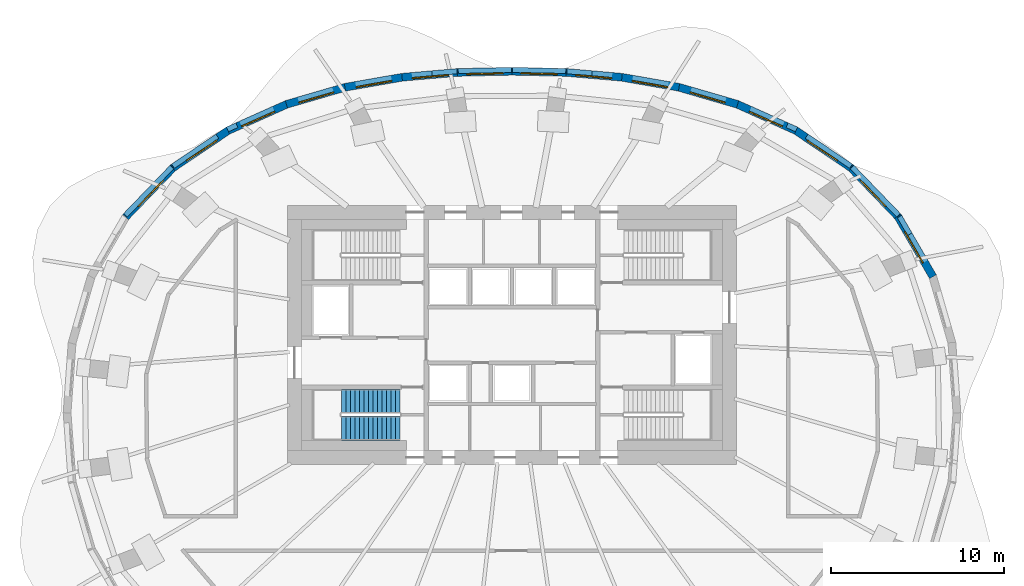
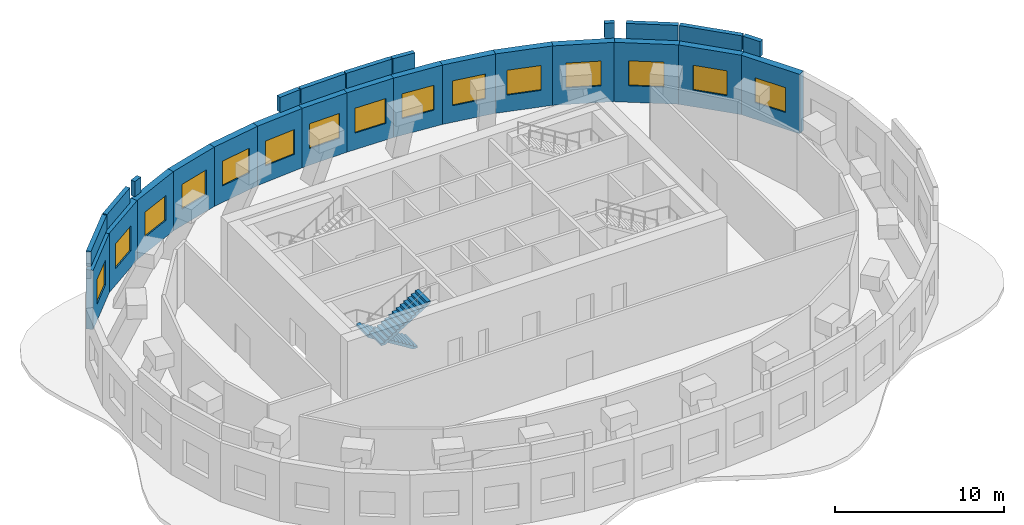
# One storey, part 7 of 9: 26 walls, 15 windows, 2 stair flights, 15 openings, 1 element without a shape of its own.
"""IFC4 building model written with IfcOpenShell, lengths in metres."""

from ifc_helpers import new_model, si_unit, direction, frame, frame_2d, origin, place, context, subcontext, project, spatial, polyline, rectangle, outline, extrude, material, layer, layer_set, type_object, element, fill, aggregate, save


model = new_model("IFC4")

# Units and contexts
model_context = context("Model", 3, precision=1e-05, world=origin(), true_north=direction((0.0, 1.0)))
body_context = subcontext(model_context, "Body", "Model", "MODEL_VIEW")
ifc_project = project(units=[si_unit("LENGTHUNIT", "METRE"), si_unit("AREAUNIT", "SQUARE_METRE"), si_unit("VOLUMEUNIT", "CUBIC_METRE"), si_unit("PLANEANGLEUNIT", "RADIAN"), si_unit("MASSUNIT", "GRAM", prefix="KILO")], contexts=[model_context])

# Site, building, storey
site_placement = place(None, origin())
site = spatial("IfcSite", under=ifc_project, at=site_placement, CompositionType="ELEMENT")
building_placement = place(site_placement, origin())
building = spatial("IfcBuilding", under=site, at=building_placement, Name="Rubra Terraces Tower", CompositionType="ELEMENT")
storey_placement = place(building_placement, frame((0.0, 0.0, 264.300048828125)))
storey = spatial("IfcBuildingStorey", under=building, at=storey_placement, Name="L65", CompositionType="ELEMENT", Elevation=264.300048828125)

# Wall, opening, window
ifc_material_1 = material(Name="Brick masonry red-brown", Category="masonry")
ifc_layer_1 = layer(ifc_material_1, 0.449951171875)
ifc_layer_set_1 = layer_set([ifc_layer_1], Name="Brick masonry red-brown")
wall_type_1 = type_object("IfcWallType", Name="Brick facade wall 450", PredefinedType="SOLIDWALL", material=ifc_layer_set_1)
wall_1_placement = place(storey_placement, frame((24.386474609375, 7.8740234375, 0.0), z_axis=(0.0, 0.0, 1.0), x_axis=(-0.502055516261, 0.864835393929, 0.0)))
wall_1 = element("IfcWall", 1, at=wall_1_placement, inside=storey, type_object=wall_type_1, Name="Facade wall L65 bay 3", PredefinedType="SOLIDWALL", context=body_context, shape_type="SweptSolid", body=[
    extrude(rectangle(XDim=4.04931640625, YDim=0.449951171875, at=frame_2d((2.024658203125, 0.0))), origin(), (0.0, 0.0, 1.0), 4.300048828125),
])
opening_1_placement = place(wall_1_placement, frame((0.974609375, 0.0, 1.199951171875)))
opening_1 = element("IfcOpeningElement", 2, at=opening_1_placement, cuts=wall_1, Name="Opening W4", PredefinedType="OPENING", context=body_context, shape_type="SweptSolid", body=[
    extrude(rectangle(XDim=2.10009765625, YDim=1.800048828125, at=frame_2d((1.050048828125, 0.89990234375))), frame((0.0, 0.23486328125, 0.0), z_axis=(0.0, -1.0, 0.0), x_axis=(1.0, 0.0, 0.0)), (0.0, 0.0, 1.0), 0.469970703125),
])
ifc_material_2 = material(Name="Clear glass in aluminium frame", Category="aluminium")
window_type = type_object("IfcWindowType", Name="Louvred plant window 2100 x 1800", PartitioningType="SINGLE_PANEL", PredefinedType="WINDOW", material=ifc_material_2)
window_1_placement = place(opening_1_placement, origin())
window_1 = element("IfcWindow", 3, at=window_1_placement, inside=storey, type_object=window_type, Name="Window L65 bay 3", OverallHeight=1.800048828125, OverallWidth=2.10009765625, PartitioningType="SINGLE_PANEL", PredefinedType="WINDOW", context=body_context, shape_type="SweptSolid", body=[
    extrude(rectangle(XDim=2.10009765625, YDim=1.800048828125, at=frame_2d((1.050048828125, 0.89990234375))), frame((0.0, 0.135009765625, 0.0), z_axis=(0.0, -1.0, 0.0), x_axis=(1.0, 0.0, 0.0)), (0.0, 0.0, 1.0), 0.06005859375),
])
fill(opening_1, window_1)

wall_2_placement = place(storey_placement, frame((22.385986328125, 11.332763671875, 0.0), z_axis=(0.0, 0.0, 1.0), x_axis=(-0.694225992979, 0.719757091436, 0.0)))
wall_2 = element("IfcWall", 4, at=wall_2_placement, inside=storey, type_object=wall_type_1, Name="Facade wall L65 bay 4", PredefinedType="SOLIDWALL", context=body_context, shape_type="SweptSolid", body=[
    extrude(rectangle(XDim=3.9970703125, YDim=0.449951171875, at=frame_2d((1.99853515625, 0.0))), origin(), (0.0, 0.0, 1.0), 4.300048828125),
])
opening_2_placement = place(wall_2_placement, frame((0.948486328125, 0.0, 1.199951171875)))
opening_2 = element("IfcOpeningElement", 5, at=opening_2_placement, cuts=wall_2, Name="Opening W4", PredefinedType="OPENING", context=body_context, shape_type="SweptSolid", body=[
    extrude(rectangle(XDim=2.10009765625, YDim=1.800048828125, at=frame_2d((1.050048828125, 0.89990234375))), frame((0.0, 0.23486328125, 0.0), z_axis=(0.0, -1.0, 0.0), x_axis=(1.0, 0.0, 0.0)), (0.0, 0.0, 1.0), 0.469970703125),
])
window_2_placement = place(opening_2_placement, origin())
window_2 = element("IfcWindow", 6, at=window_2_placement, inside=storey, type_object=window_type, Name="Window L65 bay 4", OverallHeight=1.800048828125, OverallWidth=2.10009765625, PartitioningType="SINGLE_PANEL", PredefinedType="WINDOW", context=body_context, shape_type="SweptSolid", body=[
    extrude(rectangle(XDim=2.10009765625, YDim=1.800048828125, at=frame_2d((1.050048828125, 0.89990234375))), frame((0.0, 0.135009765625, 0.0), z_axis=(0.0, -1.0, 0.0), x_axis=(1.0, 0.0, 0.0)), (0.0, 0.0, 1.0), 0.06005859375),
])
fill(opening_2, window_2)

wall_3_placement = place(storey_placement, frame((19.647216796875, 14.179443359375, 0.0), z_axis=(0.0, 0.0, 1.0), x_axis=(-0.829039015156, 0.559190764721, 0.0)))
wall_3 = element("IfcWall", 7, at=wall_3_placement, inside=storey, type_object=wall_type_1, Name="Facade wall L65 bay 5", PredefinedType="SOLIDWALL", context=body_context, shape_type="SweptSolid", body=[
    extrude(rectangle(XDim=3.894775390625, YDim=0.449951171875, at=frame_2d((1.947265625, 0.0))), origin(), (0.0, 0.0, 1.0), 4.300048828125),
])
opening_3_placement = place(wall_3_placement, frame((0.8974609375, 0.0, 1.199951171875)))
opening_3 = element("IfcOpeningElement", 8, at=opening_3_placement, cuts=wall_3, Name="Opening W4", PredefinedType="OPENING", context=body_context, shape_type="SweptSolid", body=[
    extrude(rectangle(XDim=2.10009765625, YDim=1.800048828125, at=frame_2d((1.050048828125, 0.89990234375))), frame((0.0, 0.23486328125, 0.0), z_axis=(0.0, -1.0, 0.0), x_axis=(1.0, 0.0, 0.0)), (0.0, 0.0, 1.0), 0.469970703125),
])
window_3_placement = place(opening_3_placement, origin())
window_3 = element("IfcWindow", 9, at=window_3_placement, inside=storey, type_object=window_type, Name="Window L65 bay 5", OverallHeight=1.800048828125, OverallWidth=2.10009765625, PartitioningType="SINGLE_PANEL", PredefinedType="WINDOW", context=body_context, shape_type="SweptSolid", body=[
    extrude(rectangle(XDim=2.10009765625, YDim=1.800048828125, at=frame_2d((1.050048828125, 0.89990234375))), frame((0.0, 0.135009765625, 0.0), z_axis=(0.0, -1.0, 0.0), x_axis=(1.0, 0.0, 0.0)), (0.0, 0.0, 1.0), 0.06005859375),
])
fill(opening_3, window_3)

wall_4_placement = place(storey_placement, frame((16.451904296875, 16.338623046875, 0.0), z_axis=(0.0, 0.0, 1.0), x_axis=(-0.912495881005, 0.409085892142, 0.0)))
wall_4 = element("IfcWall", 10, at=wall_4_placement, inside=storey, type_object=wall_type_1, Name="Facade wall L65 bay 6", PredefinedType="SOLIDWALL", context=body_context, shape_type="SweptSolid", body=[
    extrude(rectangle(XDim=3.740234375, YDim=0.449951171875, at=frame_2d((1.8701171875, 0.0))), origin(), (0.0, 0.0, 1.0), 4.300048828125),
])
opening_4_placement = place(wall_4_placement, frame((0.820068359375, 0.0, 1.199951171875)))
opening_4 = element("IfcOpeningElement", 11, at=opening_4_placement, cuts=wall_4, Name="Opening W4", PredefinedType="OPENING", context=body_context, shape_type="SweptSolid", body=[
    extrude(rectangle(XDim=2.10009765625, YDim=1.800048828125, at=frame_2d((1.050048828125, 0.89990234375))), frame((0.0, 0.23486328125, 0.0), z_axis=(0.0, -1.0, 0.0), x_axis=(1.0, 0.0, 0.0)), (0.0, 0.0, 1.0), 0.469970703125),
])
window_4_placement = place(opening_4_placement, origin())
window_4 = element("IfcWindow", 12, at=window_4_placement, inside=storey, type_object=window_type, Name="Window L65 bay 6", OverallHeight=1.800048828125, OverallWidth=2.10009765625, PartitioningType="SINGLE_PANEL", PredefinedType="WINDOW", context=body_context, shape_type="SweptSolid", body=[
    extrude(rectangle(XDim=2.10009765625, YDim=1.800048828125, at=frame_2d((1.050048828125, 0.89990234375))), frame((0.0, 0.135009765625, 0.0), z_axis=(0.0, -1.0, 0.0), x_axis=(1.0, 0.0, 0.0)), (0.0, 0.0, 1.0), 0.06005859375),
])
fill(opening_4, window_4)

wall_5_placement = place(storey_placement, frame((13.068115234375, 17.85791015625, 0.0), z_axis=(0.0, 0.0, 1.0), x_axis=(-0.96014440171, 0.27950443264, 0.0)))
wall_5 = element("IfcWall", 13, at=wall_5_placement, inside=storey, type_object=wall_type_1, Name="Facade wall L65 bay 7", PredefinedType="SOLIDWALL", context=body_context, shape_type="SweptSolid", body=[
    extrude(rectangle(XDim=3.556884765625, YDim=0.449951171875, at=frame_2d((1.7783203125, 0.0))), origin(), (0.0, 0.0, 1.0), 4.300048828125),
])
opening_5_placement = place(wall_5_placement, frame((0.728515625, 0.0, 1.199951171875)))
opening_5 = element("IfcOpeningElement", 14, at=opening_5_placement, cuts=wall_5, Name="Opening W4", PredefinedType="OPENING", context=body_context, shape_type="SweptSolid", body=[
    extrude(rectangle(XDim=2.10009765625, YDim=1.800048828125, at=frame_2d((1.050048828125, 0.89990234375))), frame((0.0, 0.23486328125, 0.0), z_axis=(0.0, -1.0, 0.0), x_axis=(1.0, 0.0, 0.0)), (0.0, 0.0, 1.0), 0.469970703125),
])
window_5_placement = place(opening_5_placement, origin())
window_5 = element("IfcWindow", 15, at=window_5_placement, inside=storey, type_object=window_type, Name="Window L65 bay 7", OverallHeight=1.800048828125, OverallWidth=2.10009765625, PartitioningType="SINGLE_PANEL", PredefinedType="WINDOW", context=body_context, shape_type="SweptSolid", body=[
    extrude(rectangle(XDim=2.10009765625, YDim=1.800048828125, at=frame_2d((1.050048828125, 0.89990234375))), frame((0.0, 0.135009765625, 0.0), z_axis=(0.0, -1.0, 0.0), x_axis=(1.0, 0.0, 0.0)), (0.0, 0.0, 1.0), 0.06005859375),
])
fill(opening_5, window_5)

wall_6_placement = place(storey_placement, frame((9.677001953125, 18.846435546875, 0.0), z_axis=(0.0, 0.0, 1.0), x_axis=(-0.984975558514, 0.172693801654, 0.0)))
wall_6 = element("IfcWall", 16, at=wall_6_placement, inside=storey, type_object=wall_type_1, Name="Facade wall L65 bay 8", PredefinedType="SOLIDWALL", context=body_context, shape_type="SweptSolid", body=[
    extrude(rectangle(XDim=3.381591796875, YDim=0.449951171875, at=frame_2d((1.69091796875, 0.0))), origin(), (0.0, 0.0, 1.0), 4.300048828125),
])
opening_6_placement = place(wall_6_placement, frame((0.640869140625, 0.0, 1.199951171875)))
opening_6 = element("IfcOpeningElement", 17, at=opening_6_placement, cuts=wall_6, Name="Opening W4", PredefinedType="OPENING", context=body_context, shape_type="SweptSolid", body=[
    extrude(rectangle(XDim=2.10009765625, YDim=1.800048828125, at=frame_2d((1.050048828125, 0.89990234375))), frame((0.0, 0.23486328125, 0.0), z_axis=(0.0, -1.0, 0.0), x_axis=(1.0, 0.0, 0.0)), (0.0, 0.0, 1.0), 0.469970703125),
])
window_6_placement = place(opening_6_placement, origin())
window_6 = element("IfcWindow", 18, at=window_6_placement, inside=storey, type_object=window_type, Name="Window L65 bay 8", OverallHeight=1.800048828125, OverallWidth=2.10009765625, PartitioningType="SINGLE_PANEL", PredefinedType="WINDOW", context=body_context, shape_type="SweptSolid", body=[
    extrude(rectangle(XDim=2.10009765625, YDim=1.800048828125, at=frame_2d((1.050048828125, 0.89990234375))), frame((0.0, 0.135009765625, 0.0), z_axis=(0.0, -1.0, 0.0), x_axis=(1.0, 0.0, 0.0)), (0.0, 0.0, 1.0), 0.06005859375),
])
fill(opening_6, window_6)

wall_7_placement = place(storey_placement, frame((6.365478515625, 19.427734375, 0.0), z_axis=(0.0, 0.0, 1.0), x_axis=(-0.996257816502, 0.086431262047, 0.0)))
wall_7 = element("IfcWall", 19, at=wall_7_placement, inside=storey, type_object=wall_type_1, Name="Facade wall L65 bay 9", PredefinedType="SOLIDWALL", context=body_context, shape_type="SweptSolid", body=[
    extrude(rectangle(XDim=3.239990234375, YDim=0.449951171875, at=frame_2d((1.6201171875, 0.0))), origin(), (0.0, 0.0, 1.0), 4.300048828125),
])
opening_7_placement = place(wall_7_placement, frame((0.570068359375, 0.0, 1.199951171875)))
opening_7 = element("IfcOpeningElement", 20, at=opening_7_placement, cuts=wall_7, Name="Opening W4", PredefinedType="OPENING", context=body_context, shape_type="SweptSolid", body=[
    extrude(rectangle(XDim=2.10009765625, YDim=1.800048828125, at=frame_2d((1.050048828125, 0.89990234375))), frame((0.0, 0.23486328125, 0.0), z_axis=(0.0, -1.0, 0.0), x_axis=(1.0, 0.0, 0.0)), (0.0, 0.0, 1.0), 0.469970703125),
])
window_7_placement = place(opening_7_placement, origin())
window_7 = element("IfcWindow", 21, at=window_7_placement, inside=storey, type_object=window_type, Name="Window L65 bay 9", OverallHeight=1.800048828125, OverallWidth=2.10009765625, PartitioningType="SINGLE_PANEL", PredefinedType="WINDOW", context=body_context, shape_type="SweptSolid", body=[
    extrude(rectangle(XDim=2.10009765625, YDim=1.800048828125, at=frame_2d((1.050048828125, 0.89990234375))), frame((0.0, 0.135009765625, 0.0), z_axis=(0.0, -1.0, 0.0), x_axis=(1.0, 0.0, 0.0)), (0.0, 0.0, 1.0), 0.06005859375),
])
fill(opening_7, window_7)

wall_8_placement = place(storey_placement, frame((3.152099609375, 19.70703125, 0.0), z_axis=(0.0, 0.0, 1.0), x_axis=(-0.999768982512, 0.021493757415, 0.0)))
wall_8 = element("IfcWall", 22, at=wall_8_placement, inside=storey, type_object=wall_type_1, Name="Facade wall L65 bay 10", PredefinedType="SOLIDWALL", context=body_context, shape_type="SweptSolid", body=[
    extrude(rectangle(XDim=3.15771484375, YDim=0.449951171875, at=frame_2d((1.578857421875, 0.0))), origin(), (0.0, 0.0, 1.0), 4.300048828125),
])
opening_8_placement = place(wall_8_placement, frame((0.52880859375, 0.0, 1.199951171875)))
opening_8 = element("IfcOpeningElement", 23, at=opening_8_placement, cuts=wall_8, Name="Opening W4", PredefinedType="OPENING", context=body_context, shape_type="SweptSolid", body=[
    extrude(rectangle(XDim=2.10009765625, YDim=1.800048828125, at=frame_2d((1.050048828125, 0.89990234375))), frame((0.0, 0.23486328125, 0.0), z_axis=(0.0, -1.0, 0.0), x_axis=(1.0, 0.0, 0.0)), (0.0, 0.0, 1.0), 0.469970703125),
])
window_8_placement = place(opening_8_placement, origin())
window_8 = element("IfcWindow", 24, at=window_8_placement, inside=storey, type_object=window_type, Name="Window L65 bay 10", OverallHeight=1.800048828125, OverallWidth=2.10009765625, PartitioningType="SINGLE_PANEL", PredefinedType="WINDOW", context=body_context, shape_type="SweptSolid", body=[
    extrude(rectangle(XDim=2.10009765625, YDim=1.800048828125, at=frame_2d((1.050048828125, 0.89990234375))), frame((0.0, 0.135009765625, 0.0), z_axis=(0.0, -1.0, 0.0), x_axis=(1.0, 0.0, 0.0)), (0.0, 0.0, 1.0), 0.06005859375),
])
fill(opening_8, window_8)

wall_9_placement = place(storey_placement, frame((0.0048828125, 19.77490234375, 0.0), z_axis=(0.0, 0.0, 1.0), x_axis=(-0.999768982512, -0.021493757415, 0.0)))
wall_9 = element("IfcWall", 25, at=wall_9_placement, inside=storey, type_object=wall_type_1, Name="Facade wall L65 bay 11", PredefinedType="SOLIDWALL", context=body_context, shape_type="SweptSolid", body=[
    extrude(rectangle(XDim=3.15771484375, YDim=0.449951171875, at=frame_2d((1.578857421875, 0.0))), origin(), (0.0, 0.0, 1.0), 4.300048828125),
])
opening_9_placement = place(wall_9_placement, frame((0.52880859375, 0.0, 1.199951171875)))
opening_9 = element("IfcOpeningElement", 26, at=opening_9_placement, cuts=wall_9, Name="Opening W4", PredefinedType="OPENING", context=body_context, shape_type="SweptSolid", body=[
    extrude(rectangle(XDim=2.10009765625, YDim=1.800048828125, at=frame_2d((1.050048828125, 0.89990234375))), frame((0.0, 0.23486328125, 0.0), z_axis=(0.0, -1.0, 0.0), x_axis=(1.0, 0.0, 0.0)), (0.0, 0.0, 1.0), 0.469970703125),
])
window_9_placement = place(opening_9_placement, origin())
window_9 = element("IfcWindow", 27, at=window_9_placement, inside=storey, type_object=window_type, Name="Window L65 bay 11", OverallHeight=1.800048828125, OverallWidth=2.10009765625, PartitioningType="SINGLE_PANEL", PredefinedType="WINDOW", context=body_context, shape_type="SweptSolid", body=[
    extrude(rectangle(XDim=2.10009765625, YDim=1.800048828125, at=frame_2d((1.050048828125, 0.89990234375))), frame((0.0, 0.135009765625, 0.0), z_axis=(0.0, -1.0, 0.0), x_axis=(1.0, 0.0, 0.0)), (0.0, 0.0, 1.0), 0.06005859375),
])
fill(opening_9, window_9)

wall_10_placement = place(storey_placement, frame((-3.1376953125, 19.707763671875, 0.0), z_axis=(0.0, 0.0, 1.0), x_axis=(-0.996257816502, -0.086431262047, 0.0)))
wall_10 = element("IfcWall", 28, at=wall_10_placement, inside=storey, type_object=wall_type_1, Name="Facade wall L65 bay 12", PredefinedType="SOLIDWALL", context=body_context, shape_type="SweptSolid", body=[
    extrude(rectangle(XDim=3.239990234375, YDim=0.449951171875, at=frame_2d((1.6201171875, 0.0))), origin(), (0.0, 0.0, 1.0), 4.300048828125),
])
opening_10_placement = place(wall_10_placement, frame((0.570068359375, 0.0, 1.199951171875)))
opening_10 = element("IfcOpeningElement", 29, at=opening_10_placement, cuts=wall_10, Name="Opening W4", PredefinedType="OPENING", context=body_context, shape_type="SweptSolid", body=[
    extrude(rectangle(XDim=2.10009765625, YDim=1.800048828125, at=frame_2d((1.050048828125, 0.89990234375))), frame((0.0, 0.23486328125, 0.0), z_axis=(0.0, -1.0, 0.0), x_axis=(1.0, 0.0, 0.0)), (0.0, 0.0, 1.0), 0.469970703125),
])
window_10_placement = place(opening_10_placement, origin())
window_10 = element("IfcWindow", 30, at=window_10_placement, inside=storey, type_object=window_type, Name="Window L65 bay 12", OverallHeight=1.800048828125, OverallWidth=2.10009765625, PartitioningType="SINGLE_PANEL", PredefinedType="WINDOW", context=body_context, shape_type="SweptSolid", body=[
    extrude(rectangle(XDim=2.10009765625, YDim=1.800048828125, at=frame_2d((1.050048828125, 0.89990234375))), frame((0.0, 0.135009765625, 0.0), z_axis=(0.0, -1.0, 0.0), x_axis=(1.0, 0.0, 0.0)), (0.0, 0.0, 1.0), 0.06005859375),
])
fill(opening_10, window_10)

wall_11_placement = place(storey_placement, frame((-6.34619140625, 19.430419921875, 0.0), z_axis=(0.0, 0.0, 1.0), x_axis=(-0.984975558514, -0.172693801654, 0.0)))
wall_11 = element("IfcWall", 31, at=wall_11_placement, inside=storey, type_object=wall_type_1, Name="Facade wall L65 bay 13", PredefinedType="SOLIDWALL", context=body_context, shape_type="SweptSolid", body=[
    extrude(rectangle(XDim=3.381591796875, YDim=0.449951171875, at=frame_2d((1.69091796875, 0.0))), origin(), (0.0, 0.0, 1.0), 4.300048828125),
])
opening_11_placement = place(wall_11_placement, frame((0.640869140625, 0.0, 1.199951171875)))
opening_11 = element("IfcOpeningElement", 32, at=opening_11_placement, cuts=wall_11, Name="Opening W4", PredefinedType="OPENING", context=body_context, shape_type="SweptSolid", body=[
    extrude(rectangle(XDim=2.10009765625, YDim=1.800048828125, at=frame_2d((1.050048828125, 0.89990234375))), frame((0.0, 0.23486328125, 0.0), z_axis=(0.0, -1.0, 0.0), x_axis=(1.0, 0.0, 0.0)), (0.0, 0.0, 1.0), 0.469970703125),
])
window_11_placement = place(opening_11_placement, origin())
window_11 = element("IfcWindow", 33, at=window_11_placement, inside=storey, type_object=window_type, Name="Window L65 bay 13", OverallHeight=1.800048828125, OverallWidth=2.10009765625, PartitioningType="SINGLE_PANEL", PredefinedType="WINDOW", context=body_context, shape_type="SweptSolid", body=[
    extrude(rectangle(XDim=2.10009765625, YDim=1.800048828125, at=frame_2d((1.050048828125, 0.89990234375))), frame((0.0, 0.135009765625, 0.0), z_axis=(0.0, -1.0, 0.0), x_axis=(1.0, 0.0, 0.0)), (0.0, 0.0, 1.0), 0.06005859375),
])
fill(opening_11, window_11)

wall_12_placement = place(storey_placement, frame((-9.653076171875, 18.85205078125, 0.0), z_axis=(0.0, 0.0, 1.0), x_axis=(-0.96014440171, -0.27950443264, 0.0)))
wall_12 = element("IfcWall", 34, at=wall_12_placement, inside=storey, type_object=wall_type_1, Name="Facade wall L65 bay 14", PredefinedType="SOLIDWALL", context=body_context, shape_type="SweptSolid", body=[
    extrude(rectangle(XDim=3.556884765625, YDim=0.449951171875, at=frame_2d((1.7783203125, 0.0))), origin(), (0.0, 0.0, 1.0), 4.300048828125),
])
opening_12_placement = place(wall_12_placement, frame((0.728515625, 0.0, 1.199951171875)))
opening_12 = element("IfcOpeningElement", 35, at=opening_12_placement, cuts=wall_12, Name="Opening W4", PredefinedType="OPENING", context=body_context, shape_type="SweptSolid", body=[
    extrude(rectangle(XDim=2.10009765625, YDim=1.800048828125, at=frame_2d((1.050048828125, 0.89990234375))), frame((0.0, 0.23486328125, 0.0), z_axis=(0.0, -1.0, 0.0), x_axis=(1.0, 0.0, 0.0)), (0.0, 0.0, 1.0), 0.469970703125),
])
window_12_placement = place(opening_12_placement, origin())
window_12 = element("IfcWindow", 36, at=window_12_placement, inside=storey, type_object=window_type, Name="Window L65 bay 14", OverallHeight=1.800048828125, OverallWidth=2.10009765625, PartitioningType="SINGLE_PANEL", PredefinedType="WINDOW", context=body_context, shape_type="SweptSolid", body=[
    extrude(rectangle(XDim=2.10009765625, YDim=1.800048828125, at=frame_2d((1.050048828125, 0.89990234375))), frame((0.0, 0.135009765625, 0.0), z_axis=(0.0, -1.0, 0.0), x_axis=(1.0, 0.0, 0.0)), (0.0, 0.0, 1.0), 0.06005859375),
])
fill(opening_12, window_12)

wall_13_placement = place(storey_placement, frame((-13.0390625, 17.86865234375, 0.0), z_axis=(0.0, 0.0, 1.0), x_axis=(-0.912495881005, -0.409085892142, 0.0)))
wall_13 = element("IfcWall", 37, at=wall_13_placement, inside=storey, type_object=wall_type_1, Name="Facade wall L65 bay 15", PredefinedType="SOLIDWALL", context=body_context, shape_type="SweptSolid", body=[
    extrude(rectangle(XDim=3.740234375, YDim=0.449951171875, at=frame_2d((1.8701171875, 0.0))), origin(), (0.0, 0.0, 1.0), 4.300048828125),
])
opening_13_placement = place(wall_13_placement, frame((0.820068359375, 0.0, 1.199951171875)))
opening_13 = element("IfcOpeningElement", 38, at=opening_13_placement, cuts=wall_13, Name="Opening W4", PredefinedType="OPENING", context=body_context, shape_type="SweptSolid", body=[
    extrude(rectangle(XDim=2.10009765625, YDim=1.800048828125, at=frame_2d((1.050048828125, 0.89990234375))), frame((0.0, 0.23486328125, 0.0), z_axis=(0.0, -1.0, 0.0), x_axis=(1.0, 0.0, 0.0)), (0.0, 0.0, 1.0), 0.469970703125),
])
window_13_placement = place(opening_13_placement, origin())
window_13 = element("IfcWindow", 39, at=window_13_placement, inside=storey, type_object=window_type, Name="Window L65 bay 15", OverallHeight=1.800048828125, OverallWidth=2.10009765625, PartitioningType="SINGLE_PANEL", PredefinedType="WINDOW", context=body_context, shape_type="SweptSolid", body=[
    extrude(rectangle(XDim=2.10009765625, YDim=1.800048828125, at=frame_2d((1.050048828125, 0.89990234375))), frame((0.0, 0.135009765625, 0.0), z_axis=(0.0, -1.0, 0.0), x_axis=(1.0, 0.0, 0.0)), (0.0, 0.0, 1.0), 0.06005859375),
])
fill(opening_13, window_13)

wall_14_placement = place(storey_placement, frame((-16.418212890625, 16.357421875, 0.0), z_axis=(0.0, 0.0, 1.0), x_axis=(-0.829039015156, -0.559190764721, 0.0)))
wall_14 = element("IfcWall", 40, at=wall_14_placement, inside=storey, type_object=wall_type_1, Name="Facade wall L65 bay 16", PredefinedType="SOLIDWALL", context=body_context, shape_type="SweptSolid", body=[
    extrude(rectangle(XDim=3.894775390625, YDim=0.449951171875, at=frame_2d((1.947265625, 0.0))), origin(), (0.0, 0.0, 1.0), 4.300048828125),
])
opening_14_placement = place(wall_14_placement, frame((0.8974609375, 0.0, 1.199951171875)))
opening_14 = element("IfcOpeningElement", 41, at=opening_14_placement, cuts=wall_14, Name="Opening W4", PredefinedType="OPENING", context=body_context, shape_type="SweptSolid", body=[
    extrude(rectangle(XDim=2.10009765625, YDim=1.800048828125, at=frame_2d((1.050048828125, 0.89990234375))), frame((0.0, 0.23486328125, 0.0), z_axis=(0.0, -1.0, 0.0), x_axis=(1.0, 0.0, 0.0)), (0.0, 0.0, 1.0), 0.469970703125),
])
window_14_placement = place(opening_14_placement, origin())
window_14 = element("IfcWindow", 42, at=window_14_placement, inside=storey, type_object=window_type, Name="Window L65 bay 16", OverallHeight=1.800048828125, OverallWidth=2.10009765625, PartitioningType="SINGLE_PANEL", PredefinedType="WINDOW", context=body_context, shape_type="SweptSolid", body=[
    extrude(rectangle(XDim=2.10009765625, YDim=1.800048828125, at=frame_2d((1.050048828125, 0.89990234375))), frame((0.0, 0.135009765625, 0.0), z_axis=(0.0, -1.0, 0.0), x_axis=(1.0, 0.0, 0.0)), (0.0, 0.0, 1.0), 0.06005859375),
])
fill(opening_14, window_14)

wall_15_placement = place(storey_placement, frame((-19.611083984375, 14.209716796875, 0.0), z_axis=(0.0, 0.0, 1.0), x_axis=(-0.694225992979, -0.719757091436, 0.0)))
wall_15 = element("IfcWall", 43, at=wall_15_placement, inside=storey, type_object=wall_type_1, Name="Facade wall L65 bay 17", PredefinedType="SOLIDWALL", context=body_context, shape_type="SweptSolid", body=[
    extrude(rectangle(XDim=3.9970703125, YDim=0.449951171875, at=frame_2d((1.99853515625, 0.0))), origin(), (0.0, 0.0, 1.0), 4.300048828125),
])
opening_15_placement = place(wall_15_placement, frame((0.948486328125, 0.0, 1.199951171875)))
opening_15 = element("IfcOpeningElement", 44, at=opening_15_placement, cuts=wall_15, Name="Opening W4", PredefinedType="OPENING", context=body_context, shape_type="SweptSolid", body=[
    extrude(rectangle(XDim=2.10009765625, YDim=1.800048828125, at=frame_2d((1.050048828125, 0.89990234375))), frame((0.0, 0.23486328125, 0.0), z_axis=(0.0, -1.0, 0.0), x_axis=(1.0, 0.0, 0.0)), (0.0, 0.0, 1.0), 0.469970703125),
])
window_15_placement = place(opening_15_placement, origin())
window_15 = element("IfcWindow", 45, at=window_15_placement, inside=storey, type_object=window_type, Name="Window L65 bay 17", OverallHeight=1.800048828125, OverallWidth=2.10009765625, PartitioningType="SINGLE_PANEL", PredefinedType="WINDOW", context=body_context, shape_type="SweptSolid", body=[
    extrude(rectangle(XDim=2.10009765625, YDim=1.800048828125, at=frame_2d((1.050048828125, 0.89990234375))), frame((0.0, 0.135009765625, 0.0), z_axis=(0.0, -1.0, 0.0), x_axis=(1.0, 0.0, 0.0)), (0.0, 0.0, 1.0), 0.06005859375),
])
fill(opening_15, window_15)

# Walls
ifc_layer_2 = layer(ifc_material_1, 0.300048828125)
ifc_layer_set_2 = layer_set([ifc_layer_2], Name="Brick masonry red-brown")
wall_type_2 = type_object("IfcWallType", Name="Brick parapet 300", PredefinedType="PARAPET", material=ifc_layer_set_2)
wall_16_placement = place(storey_placement, frame((23.046142578125, 10.332275390625, 4.5), z_axis=(0.0, 0.0, 1.0), x_axis=(-0.5021006954, 0.864809164891, 0.0)))
element("IfcWall", 46, at=wall_16_placement, inside=storey, type_object=wall_type_2, Name="Parapet L65 bay 3", PredefinedType="PARAPET", context=body_context, shape_type="SweptSolid", body=[
    extrude(rectangle(XDim=1.18408203125, YDim=0.300048828125, at=frame_2d((0.592041015625, 0.0))), origin(), (0.0, 0.0, 1.0), 1.099853515625),
])
wall_17_placement = place(storey_placement, frame((22.39404296875, 11.4326171875, 4.5), z_axis=(0.0, 0.0, 1.0), x_axis=(-0.694246491391, 0.719737319576, 0.0)))
element("IfcWall", 47, at=wall_17_placement, inside=storey, type_object=wall_type_2, Name="Parapet L65 bay 4", PredefinedType="PARAPET", context=body_context, shape_type="SweptSolid", body=[
    extrude(rectangle(XDim=3.869384765625, YDim=0.300048828125, at=frame_2d((1.9345703125, 0.0))), origin(), (0.0, 0.0, 1.0), 1.099853515625),
])
wall_18_placement = place(storey_placement, frame((19.637939453125, 14.276123046875, 4.5), z_axis=(0.0, 0.0, 1.0), x_axis=(-0.829033928646, 0.55919830575, 0.0)))
element("IfcWall", 48, at=wall_18_placement, inside=storey, type_object=wall_type_2, Name="Parapet L65 bay 5", PredefinedType="PARAPET", context=body_context, shape_type="SweptSolid", body=[
    extrude(rectangle(XDim=3.1005859375, YDim=0.300048828125, at=frame_2d((1.55029296875, 0.0))), origin(), (0.0, 0.0, 1.0), 1.099853515625),
])
wall_19_placement = place(storey_placement, frame((16.482666015625, 16.406982421875, 4.5), z_axis=(0.0, 0.0, 1.0), x_axis=(-0.912393845356, 0.409313414092, 0.0)))
element("IfcWall", 49, at=wall_19_placement, inside=storey, type_object=wall_type_2, Name="Parapet L65 bay 6", PredefinedType="PARAPET", context=body_context, shape_type="SweptSolid", body=[
    extrude(rectangle(XDim=0.598876953125, YDim=0.300048828125, at=frame_2d((0.29931640625, 0.0))), origin(), (0.0, 0.0, 1.0), 1.099853515625),
])
wall_20_placement = place(storey_placement, frame((4.63232421875, 19.653564453125, 4.5), z_axis=(0.0, 0.0, 1.0), x_axis=(-0.996269511889, 0.086296348013, 0.0)))
element("IfcWall", 50, at=wall_20_placement, inside=storey, type_object=wall_type_2, Name="Parapet L65 bay 9", PredefinedType="PARAPET", context=body_context, shape_type="SweptSolid", body=[
    extrude(rectangle(XDim=1.4541015625, YDim=0.300048828125, at=frame_2d((0.72705078125, 0.0))), origin(), (0.0, 0.0, 1.0), 1.099853515625),
])
for number, where, z_axis, x_axis, name in (
    (51, (3.114013671875, 19.782958984375, 4.5), (0.0, 0.0, 1.0), (-0.999769480051, 0.021470602195, 0.0), "Parapet L65 bay 10"),
    (52, (-0.033203125, 19.84912109375, 4.5), (0.0, 0.0, 1.0), (-0.999769480051, -0.021470602195, 0.0), "Parapet L65 bay 11"),
):
    element("IfcWall", number, at=place(storey_placement, frame(where, z_axis=z_axis, x_axis=x_axis)), inside=storey, type_object=wall_type_2, Name=name, PredefinedType="PARAPET", context=body_context, shape_type="SweptSolid", body=[
        extrude(rectangle(XDim=3.08154296875, YDim=0.300048828125, at=frame_2d((1.540771484375, 0.0))), origin(), (0.0, 0.0, 1.0), 1.099853515625),
    ])
wall_21_placement = place(storey_placement, frame((-3.18359375, 19.779052734375, 4.5), z_axis=(0.0, 0.0, 1.0), x_axis=(-0.996269511889, -0.086296348013, 0.0)))
element("IfcWall", 53, at=wall_21_placement, inside=storey, type_object=wall_type_2, Name="Parapet L65 bay 12", PredefinedType="PARAPET", context=body_context, shape_type="SweptSolid", body=[
    extrude(rectangle(XDim=1.4541015625, YDim=0.300048828125, at=frame_2d((0.72705078125, 0.0))), origin(), (0.0, 0.0, 1.0), 1.099853515625),
])
wall_22_placement = place(storey_placement, frame((-15.93603515625, 16.652099609375, 4.5), z_axis=(0.0, 0.0, 1.0), x_axis=(-0.912462109391, -0.409161213858, 0.0)))
element("IfcWall", 54, at=wall_22_placement, inside=storey, type_object=wall_type_2, Name="Parapet L65 bay 15", PredefinedType="PARAPET", context=body_context, shape_type="SweptSolid", body=[
    extrude(rectangle(XDim=0.59912109375, YDim=0.300048828125, at=frame_2d((0.299560546875, 0.0))), origin(), (0.0, 0.0, 1.0), 1.099853515625),
])
wall_23_placement = place(storey_placement, frame((-17.0673828125, 16.010009765625, 4.5), z_axis=(0.0, 0.0, 1.0), x_axis=(-0.829033928646, -0.55919830575, 0.0)))
element("IfcWall", 55, at=wall_23_placement, inside=storey, type_object=wall_type_2, Name="Parapet L65 bay 16", PredefinedType="PARAPET", context=body_context, shape_type="SweptSolid", body=[
    extrude(rectangle(XDim=3.1005859375, YDim=0.300048828125, at=frame_2d((1.55029296875, 0.0))), origin(), (0.0, 0.0, 1.0), 1.099853515625),
])
wall_24_placement = place(storey_placement, frame((-19.707763671875, 14.217529296875, 4.5), z_axis=(0.0, 0.0, 1.0), x_axis=(-0.694246491391, -0.719737319576, 0.0)))
element("IfcWall", 56, at=wall_24_placement, inside=storey, type_object=wall_type_2, Name="Parapet L65 bay 17", PredefinedType="PARAPET", context=body_context, shape_type="SweptSolid", body=[
    extrude(rectangle(XDim=3.869384765625, YDim=0.300048828125, at=frame_2d((1.9345703125, 0.0))), origin(), (0.0, 0.0, 1.0), 1.099853515625),
])

# Stair, stair flights
ifc_material_3 = material(Name="Concrete C40", Category="concrete")
stair_type = type_object("IfcStairType", Name="Core stair 1400", PredefinedType="HALF_TURN_STAIR", material=ifc_material_3)
stair_placement = place(storey_placement, origin())
stair = element("IfcStair", 57, at=stair_placement, inside=storey, type_object=stair_type, Name="L65 Exit stair S1", PredefinedType="HALF_TURN_STAIR")
stair_flight_type = type_object("IfcStairFlightType", Name="Core stair flight 1400", PredefinedType="STRAIGHT", material=ifc_material_3)
stair_flight_1_placement = place(storey_placement, frame((-6.5, 0.64990234375, 0.0), z_axis=(0.0, 0.0, 1.0), x_axis=(-1.0, 0.0, 0.0)))
stair_flight_1 = element("IfcStairFlight", 58, at=stair_flight_1_placement, type_object=stair_flight_type, Name="S1 flight 1", NumberOfRisers=14, NumberOfTreads=13, PredefinedType="STRAIGHT", RiserHeight=0.160714286, TreadLength=0.26, context=body_context, shape_type="SweptSolid", body=[
    extrude(outline(polyline([(0.0, 0.0), (0.0, 0.16064453125), (0.260009765625, 0.16064453125), (0.260009765625, 0.321533203125), (0.52001953125, 0.321533203125), (0.52001953125, 0.482177734375), (0.780029296875, 0.482177734375), (0.780029296875, 0.642822265625), (1.0400390625, 0.642822265625), (1.0400390625, 0.803466796875), (1.300048828125, 0.803466796875), (1.300048828125, 0.96435546875), (1.56005859375, 0.96435546875), (1.56005859375, 1.125), (1.820068359375, 1.125), (1.820068359375, 1.28564453125), (2.080078125, 1.28564453125), (2.080078125, 1.446533203125), (2.340087890625, 1.446533203125), (2.340087890625, 1.607177734375), (2.60009765625, 1.607177734375), (2.60009765625, 1.767822265625), (2.860107421875, 1.767822265625), (2.860107421875, 1.928466796875), (3.1201171875, 1.928466796875), (3.1201171875, 2.08935546875), (3.3798828125, 2.08935546875), (3.3798828125, 2.25), (3.3798828125, 1.9130859375), (0.28515625, 0.0), (0.0, 0.0)])), frame((0.0, 0.699951171875, 0.0), z_axis=(0.0, -1.0, 0.0), x_axis=(1.0, 0.0, 0.0)), (0.0, 0.0, 1.0), 1.39990234375),
])
stair_flight_2_placement = place(storey_placement, frame((-9.8798828125, -0.89990234375, 2.25), z_axis=(0.0, 0.0, 1.0), x_axis=(1.0, 0.0, 0.0)))
stair_flight_2 = element("IfcStairFlight", 59, at=stair_flight_2_placement, type_object=stair_flight_type, Name="S1 flight 2", NumberOfRisers=14, NumberOfTreads=13, PredefinedType="STRAIGHT", RiserHeight=0.160714286, TreadLength=0.26, context=body_context, shape_type="SweptSolid", body=[
    extrude(outline(polyline([(0.0, 0.0), (0.0, 0.16064453125), (0.260009765625, 0.16064453125), (0.260009765625, 0.321533203125), (0.52001953125, 0.321533203125), (0.52001953125, 0.482177734375), (0.780029296875, 0.482177734375), (0.780029296875, 0.642822265625), (1.0400390625, 0.642822265625), (1.0400390625, 0.803466796875), (1.300048828125, 0.803466796875), (1.300048828125, 0.96435546875), (1.56005859375, 0.96435546875), (1.56005859375, 1.125), (1.820068359375, 1.125), (1.820068359375, 1.28564453125), (2.080078125, 1.28564453125), (2.080078125, 1.446533203125), (2.340087890625, 1.446533203125), (2.340087890625, 1.607177734375), (2.60009765625, 1.607177734375), (2.60009765625, 1.767822265625), (2.860107421875, 1.767822265625), (2.860107421875, 1.928466796875), (3.1201171875, 1.928466796875), (3.1201171875, 2.08935546875), (3.3798828125, 2.08935546875), (3.3798828125, 2.25), (3.3798828125, 1.9130859375), (0.28515625, 0.0), (0.0, 0.0)])), frame((0.0, 0.699951171875, 0.0), z_axis=(0.0, -1.0, 0.0), x_axis=(1.0, 0.0, 0.0)), (0.0, 0.0, 1.0), 1.39990234375),
])
aggregate(stair, [stair_flight_1, stair_flight_2])

save(model, "model.ifc")
